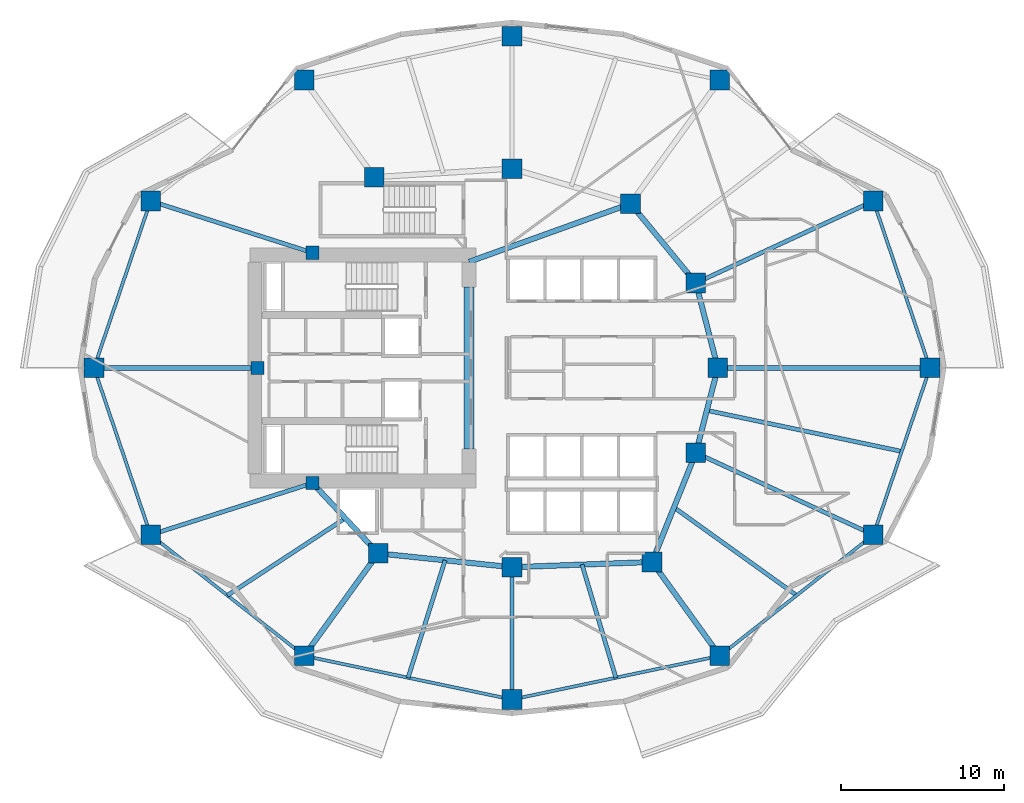
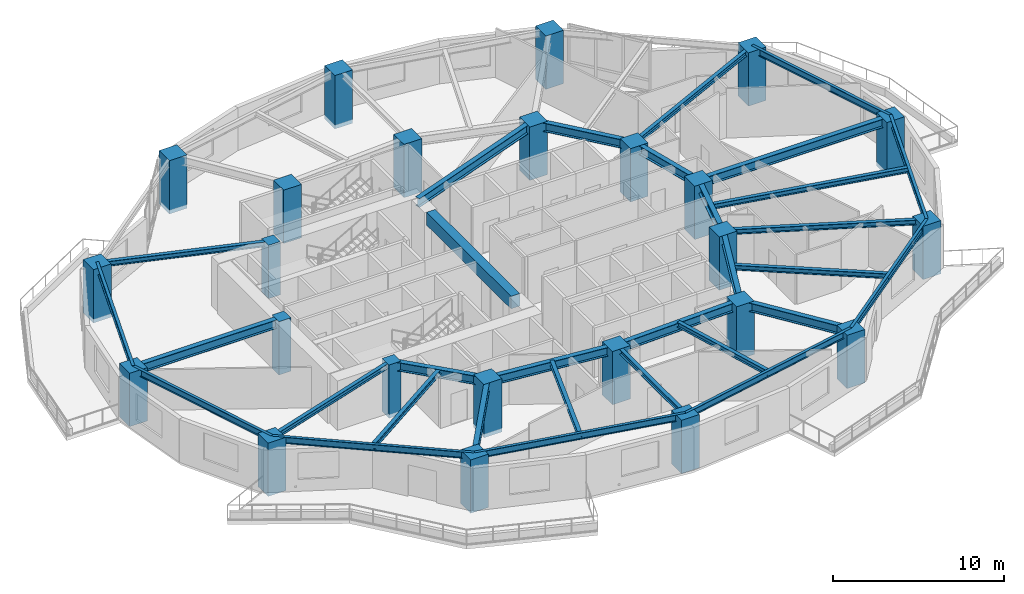
# One storey, part 1 of 12: 31 beams, 24 columns.
"""IFC4 building model written with IfcOpenShell, lengths in metres."""

from ifc_helpers import new_model, si_unit, direction, frame, origin, origin_2d, place, context, subcontext, project, spatial, rectangle, i_section, extrude, material, material_profile, profile_set, type_object, element, save


model = new_model("IFC4")

# Units and contexts
model_context = context("Model", 3, precision=1e-05, world=origin(), true_north=direction((0.0, 1.0)))
body_context = subcontext(model_context, "Body", "Model", "MODEL_VIEW")
ifc_project = project(units=[si_unit("LENGTHUNIT", "METRE"), si_unit("AREAUNIT", "SQUARE_METRE"), si_unit("VOLUMEUNIT", "CUBIC_METRE"), si_unit("PLANEANGLEUNIT", "RADIAN"), si_unit("MASSUNIT", "GRAM", prefix="KILO")], contexts=[model_context])

# Site, building, storey
site_placement = place(None, origin())
site = spatial("IfcSite", under=ifc_project, at=site_placement, CompositionType="ELEMENT")
building_placement = place(site_placement, origin())
building = spatial("IfcBuilding", under=site, at=building_placement, Name="Kolvaren Gate Tower and Convention Centre", CompositionType="ELEMENT")
storey_placement = place(building_placement, frame((0.0, 0.0, 91.949951171875)))
storey = spatial("IfcBuildingStorey", under=building, at=storey_placement, Name="L22", CompositionType="ELEMENT", Elevation=91.949951171875)

# Columns
ifc_material_1 = material(Name="Concrete C70/85", Category="concrete")
ifc_material_profile_1 = material_profile(ifc_material_1, rectangle(XDim=1.199951171875, YDim=1.199951171875, at=origin_2d()), Name="RC-COL-1200X1200")
ifc_profile_set_1 = profile_set([ifc_material_profile_1], Name="Concrete C70/85")
column_type_1 = type_object("IfcColumnType", Name="STR-COL-RC1200", PredefinedType="COLUMN", material=ifc_profile_set_1)
for number, where, z_axis, x_axis, name in (
    (1, (55.71240234375, 27.0, -0.280029296875), (0.0, 0.0, 1.0), (1.0, 0.0, 0.0), "Tower L22 Perimeter Supercolumn TP-01"),
    (2, (52.248779296875, 37.218505859375, -0.280029296875), (0.0, 0.0, 1.0), (1.0, 0.0, 0.0), "Tower L22 Perimeter Supercolumn TP-02"),
    (3, (42.846435546875, 44.627197265625, -0.280029296875), (0.0, 0.0, 1.0), (1.0, 0.0, 0.0), "Tower L22 Perimeter Supercolumn TP-03"),
    (4, (30.125, 47.300048828125, -0.280029296875), (0.0, 0.0, 1.0), (1.0, 0.0, 0.0), "Tower L22 Perimeter Supercolumn TP-04"),
    (5, (17.40380859375, 44.627197265625, -0.280029296875), (0.0, 0.0, 1.0), (1.0, 0.0, 0.0), "Tower L22 Perimeter Supercolumn TP-05"),
    (6, (8.001220703125, 37.218505859375, -0.280029296875), (0.0, 0.0, 1.0), (1.0, 0.0, 0.0), "Tower L22 Perimeter Supercolumn TP-06"),
    (7, (4.53759765625, 27.0, -0.280029296875), (0.0, 0.0, 1.0), (1.0, 0.0, 0.0), "Tower L22 Perimeter Supercolumn TP-07"),
    (8, (8.001220703125, 16.781494140625, -0.280029296875), (0.0, 0.0, 1.0), (1.0, 0.0, 0.0), "Tower L22 Perimeter Supercolumn TP-08"),
    (9, (17.403564453125, 9.372802734375, -0.280029296875), (0.0, 0.0, 1.0), (1.0, 0.0, 0.0), "Tower L22 Perimeter Supercolumn TP-09"),
    (10, (30.125, 6.699951171875, -0.280029296875), (0.0, 0.0, 1.0), (1.0, 0.0, 0.0), "Tower L22 Perimeter Supercolumn TP-10"),
    (11, (42.846435546875, 9.372802734375, -0.280029296875), (0.0, 0.0, 1.0), (1.0, 0.0, 0.0), "Tower L22 Perimeter Supercolumn TP-11"),
    (12, (52.248779296875, 16.781494140625, -0.280029296875), (0.0, 0.0, 1.0), (1.0, 0.0, 0.0), "Tower L22 Perimeter Supercolumn TP-12"),
    (13, (42.72509765625, 27.0, -0.280029296875), (0.0, 0.0, 1.0), (1.0, 0.0, 0.0), "Tower L22 Interior Column TI-01"),
    (14, (41.382080078125, 32.199462890625, -0.280029296875), (0.0, 0.0, 1.0), (1.0, 0.0, 0.0), "Tower L22 Interior Column TI-02"),
    (15, (37.381591796875, 37.054931640625, -0.280029296875), (0.0, 0.0, 1.0), (1.0, 0.0, 0.0), "Tower L22 Interior Column TI-03"),
    (16, (30.125, 39.199951171875, -0.280029296875), (0.0, 0.0, 1.0), (1.0, 0.0, 0.0), "Tower L22 Interior Column TI-04"),
    (17, (21.697998046875, 38.6767578125, -0.280029296875), (0.0, 0.0, 1.0), (1.0, 0.0, 0.0), "Tower L22 Interior Column TI-05"),
    (18, (21.93212890625, 15.647705078125, -0.280029296875), (0.0, 0.0, 1.0), (1.0, 0.0, 0.0), "Tower L22 Interior Column TI-06"),
    (19, (30.125, 14.800048828125, -0.280029296875), (0.0, 0.0, 1.0), (1.0, 0.0, 0.0), "Tower L22 Interior Column TI-07"),
    (20, (38.6982421875, 15.12060546875, -0.280029296875), (0.0, 0.0, 1.0), (1.0, 0.0, 0.0), "Tower L22 Interior Column TI-08"),
    (21, (41.382080078125, 21.800537109375, -0.280029296875), (0.0, 0.0, 1.0), (1.0, 0.0, 0.0), "Tower L22 Interior Column TI-09"),
):
    element("IfcColumn", number, at=place(storey_placement, frame(where, z_axis=z_axis, x_axis=x_axis)), inside=storey, type_object=column_type_1, Name=name, PredefinedType="COLUMN", context=body_context, shape_type="SweptSolid", body=[
        extrude(rectangle(XDim=1.199951171875, YDim=1.199951171875, at=origin_2d()), origin(), (0.0, 0.0, 1.0), 3.81005859375),
    ])
ifc_material_2 = material(Name="Concrete C60/75", Category="concrete")
ifc_material_profile_2 = material_profile(ifc_material_2, rectangle(XDim=0.800048828125, YDim=0.800048828125, at=origin_2d()), Name="RC-COL-800X800")
ifc_profile_set_2 = profile_set([ifc_material_profile_2], Name="Concrete C60/75")
column_type_2 = type_object("IfcColumnType", Name="STR-PIL-RC800", PredefinedType="PILASTER", material=ifc_profile_set_2)
for number, where, z_axis, x_axis, name in (
    (22, (17.9140625, 34.050048828125, -0.280029296875), (0.0, 0.0, 1.0), (1.0, 0.0, 0.0), "Tower L22 Core Boundary Pilaster TC-05"),
    (23, (14.550048828125, 27.0, -0.280029296875), (0.0, 0.0, 1.0), (1.0, 0.0, 0.0), "Tower L22 Core Boundary Pilaster TC-06"),
    (24, (17.9140625, 19.949951171875, -0.280029296875), (0.0, 0.0, 1.0), (1.0, 0.0, 0.0), "Tower L22 Core Boundary Pilaster TC-07"),
):
    element("IfcColumn", number, at=place(storey_placement, frame(where, z_axis=z_axis, x_axis=x_axis)), inside=storey, type_object=column_type_2, Name=name, PredefinedType="PILASTER", context=body_context, shape_type="SweptSolid", body=[
        extrude(rectangle(XDim=0.800048828125, YDim=0.800048828125, at=origin_2d()), origin(), (0.0, 0.0, 1.0), 3.81005859375),
    ])

# Beams
ifc_material_3 = material(Name="Structural steel ASTM A992 Grade 345 MPa", Category="steel")
ifc_material_profile_3 = material_profile(ifc_material_3, i_section(OverallWidth=0.327880859375, OverallDepth=0.6279296875, WebThickness=0.0166015625, FlangeThickness=0.027587890625, at=origin_2d()), Name="W610X217")
ifc_profile_set_3 = profile_set([ifc_material_profile_3], Name="Structural steel ASTM A992 Grade 345 MPa")
beam_type_1 = type_object("IfcBeamType", Name="STR-BM-W610X217", PredefinedType="BEAM", material=ifc_profile_set_3)
beam_1_placement = place(storey_placement, frame((42.72509765625, 27.0, 3.216064453125), z_axis=(-0.250091133936, -0.968222301296, 0.0), x_axis=(0.968222301296, -0.250091133936, 0.0)))
element("IfcBeam", 25, at=beam_1_placement, inside=storey, type_object=beam_type_1, Name="Tower L22 Primary Ring Girder G-01", PredefinedType="BEAM", context=body_context, shape_type="SweptSolid", body=[
    extrude(i_section(OverallWidth=0.327880859375, OverallDepth=0.6279296875, WebThickness=0.0166015625, FlangeThickness=0.027587890625, at=origin_2d()), origin(), (0.0, 0.0, 1.0), 5.3701171875),
])
beam_2_placement = place(storey_placement, frame((41.382080078125, 32.199462890625, 3.216064453125), z_axis=(-0.635884066011, 0.771784590798, 0.0), x_axis=(-0.771784590798, -0.635884066011, 0.0)))
element("IfcBeam", 26, at=beam_2_placement, inside=storey, type_object=beam_type_1, Name="Tower L22 Primary Ring Girder G-02", PredefinedType="BEAM", context=body_context, shape_type="SweptSolid", body=[
    extrude(i_section(OverallWidth=0.327880859375, OverallDepth=0.6279296875, WebThickness=0.0166015625, FlangeThickness=0.027587890625, at=origin_2d()), origin(), (0.0, 0.0, 1.0), 6.291259765625),
])
beam_3_placement = place(storey_placement, frame((17.9140625, 19.949951171875, 3.216064453125), z_axis=(0.682557592987, -0.730831808459, 0.0), x_axis=(0.730831808459, 0.682557592987, 0.0)))
element("IfcBeam", 27, at=beam_3_placement, inside=storey, type_object=beam_type_1, Name="Tower L22 Primary Ring Girder G-06", PredefinedType="BEAM", context=body_context, shape_type="SweptSolid", body=[
    extrude(i_section(OverallWidth=0.327880859375, OverallDepth=0.6279296875, WebThickness=0.0166015625, FlangeThickness=0.027587890625, at=origin_2d()), origin(), (0.0, 0.0, 1.0), 5.88671875),
])
beam_4_placement = place(storey_placement, frame((21.93212890625, 15.647705078125, 3.216064453125), z_axis=(0.994690329115, -0.102913308978, 0.0), x_axis=(0.102913308978, 0.994690329115, 0.0)))
element("IfcBeam", 28, at=beam_4_placement, inside=storey, type_object=beam_type_1, Name="Tower L22 Primary Ring Girder G-07", PredefinedType="BEAM", context=body_context, shape_type="SweptSolid", body=[
    extrude(i_section(OverallWidth=0.327880859375, OverallDepth=0.6279296875, WebThickness=0.0166015625, FlangeThickness=0.027587890625, at=origin_2d()), origin(), (0.0, 0.0, 1.0), 8.236572265625),
])
beam_5_placement = place(storey_placement, frame((30.125, 14.800048828125, 3.216064453125), z_axis=(0.999301712453, 0.037364254142, 0.0), x_axis=(-0.037364254142, 0.999301712453, 0.0)))
element("IfcBeam", 29, at=beam_5_placement, inside=storey, type_object=beam_type_1, Name="Tower L22 Primary Ring Girder G-08", PredefinedType="BEAM", context=body_context, shape_type="SweptSolid", body=[
    extrude(i_section(OverallWidth=0.327880859375, OverallDepth=0.6279296875, WebThickness=0.0166015625, FlangeThickness=0.027587890625, at=origin_2d()), origin(), (0.0, 0.0, 1.0), 8.579345703125),
])
beam_6_placement = place(storey_placement, frame((38.6982421875, 15.12060546875, 3.216064453125), z_axis=(0.372811100169, 0.927907260232, 0.0), x_axis=(-0.927907260232, 0.372811100169, 0.0)))
element("IfcBeam", 30, at=beam_6_placement, inside=storey, type_object=beam_type_1, Name="Tower L22 Primary Ring Girder G-09", PredefinedType="BEAM", context=body_context, shape_type="SweptSolid", body=[
    extrude(i_section(OverallWidth=0.327880859375, OverallDepth=0.6279296875, WebThickness=0.0166015625, FlangeThickness=0.027587890625, at=origin_2d()), origin(), (0.0, 0.0, 1.0), 7.198974609375),
])
beam_7_placement = place(storey_placement, frame((27.5, 33.5, 3.216064453125), z_axis=(0.940961479908, 0.338513653093, 0.0), x_axis=(-0.338513653093, 0.940961479908, 0.0)))
element("IfcBeam", 31, at=beam_7_placement, inside=storey, type_object=beam_type_1, Name="Tower L22 Primary Ring Girder G-10", PredefinedType="BEAM", context=body_context, shape_type="SweptSolid", body=[
    extrude(i_section(OverallWidth=0.327880859375, OverallDepth=0.6279296875, WebThickness=0.0166015625, FlangeThickness=0.027587890625, at=origin_2d()), origin(), (0.0, 0.0, 1.0), 10.501708984375),
])
beam_8_placement = place(storey_placement, frame((42.72509765625, 27.0, 3.216064453125), z_axis=(-0.250091133936, 0.968222301296, 0.0), x_axis=(-0.968222301296, -0.250091133936, 0.0)))
element("IfcBeam", 32, at=beam_8_placement, inside=storey, type_object=beam_type_1, Name="Tower L22 Primary Ring Girder G-12", PredefinedType="BEAM", context=body_context, shape_type="SweptSolid", body=[
    extrude(i_section(OverallWidth=0.327880859375, OverallDepth=0.6279296875, WebThickness=0.0166015625, FlangeThickness=0.027587890625, at=origin_2d()), origin(), (0.0, 0.0, 1.0), 5.3701171875),
])
beam_9_placement = place(storey_placement, frame((42.72509765625, 27.0, 3.216064453125), z_axis=(1.0, 0.0, 0.0), x_axis=(0.0, 1.0, 0.0)))
element("IfcBeam", 33, at=beam_9_placement, inside=storey, type_object=beam_type_1, Name="Tower L22 Radial Floor Girder RB-01", PredefinedType="BEAM", context=body_context, shape_type="SweptSolid", body=[
    extrude(i_section(OverallWidth=0.327880859375, OverallDepth=0.6279296875, WebThickness=0.0166015625, FlangeThickness=0.027587890625, at=origin_2d()), origin(), (0.0, 0.0, 1.0), 12.9873046875),
])
beam_10_placement = place(storey_placement, frame((14.550048828125, 27.0, 3.216064453125), z_axis=(-1.0, 0.0, 0.0), x_axis=(0.0, -1.0, 0.0)))
element("IfcBeam", 34, at=beam_10_placement, inside=storey, type_object=beam_type_1, Name="Tower L22 Radial Floor Girder RB-07", PredefinedType="BEAM", context=body_context, shape_type="SweptSolid", body=[
    extrude(i_section(OverallWidth=0.327880859375, OverallDepth=0.6279296875, WebThickness=0.0166015625, FlangeThickness=0.027587890625, at=origin_2d()), origin(), (0.0, 0.0, 1.0), 10.012451171875),
])
beam_11_placement = place(storey_placement, frame((21.93212890625, 15.647705078125, 3.216064453125), z_axis=(-0.585209453994, -0.810882170821, 0.0), x_axis=(0.810882170821, -0.585209453994, 0.0)))
element("IfcBeam", 35, at=beam_11_placement, inside=storey, type_object=beam_type_1, Name="Tower L22 Radial Floor Girder RB-09", PredefinedType="BEAM", context=body_context, shape_type="SweptSolid", body=[
    extrude(i_section(OverallWidth=0.327880859375, OverallDepth=0.6279296875, WebThickness=0.0166015625, FlangeThickness=0.027587890625, at=origin_2d()), origin(), (0.0, 0.0, 1.0), 7.73828125),
])
beam_12_placement = place(storey_placement, frame((38.6982421875, 15.12060546875, 3.216064453125), z_axis=(0.585212604054, -0.81087989743, 0.0), x_axis=(0.81087989743, 0.585212604054, 0.0)))
element("IfcBeam", 36, at=beam_12_placement, inside=storey, type_object=beam_type_1, Name="Tower L22 Radial Floor Girder RB-11", PredefinedType="BEAM", context=body_context, shape_type="SweptSolid", body=[
    extrude(i_section(OverallWidth=0.327880859375, OverallDepth=0.6279296875, WebThickness=0.0166015625, FlangeThickness=0.027587890625, at=origin_2d()), origin(), (0.0, 0.0, 1.0), 7.08837890625),
])
ifc_material_profile_4 = material_profile(ifc_material_3, i_section(OverallWidth=0.2548828125, OverallDepth=0.35693359375, WebThickness=0.010498046875, FlangeThickness=0.018310546875, at=origin_2d()), Name="W360X101")
ifc_profile_set_4 = profile_set([ifc_material_profile_4], Name="Structural steel ASTM A992 Grade 345 MPa")
beam_type_2 = type_object("IfcBeamType", Name="STR-JS-W360X101", PredefinedType="JOIST", material=ifc_profile_set_4)
beam_13_placement = place(storey_placement, frame((41.382080078125, 32.199462890625, 3.3515625), z_axis=(0.907843538102, 0.419309086864, 0.0), x_axis=(-0.419309086864, 0.907843538102, 0.0)))
element("IfcBeam", 37, at=beam_13_placement, inside=storey, type_object=beam_type_2, Name="Tower L22 Radial Floor Girder RB-02", PredefinedType="JOIST", context=body_context, shape_type="SweptSolid", body=[
    extrude(i_section(OverallWidth=0.2548828125, OverallDepth=0.35693359375, WebThickness=0.010498046875, FlangeThickness=0.018310546875, at=origin_2d()), origin(), (0.0, 0.0, 1.0), 11.9697265625),
])
for number, where, z_axis, x_axis, name in (
    (38, (17.9140625, 34.050048828125, 3.3515625), (-0.952525967456, 0.304457355507, 0.0), (-0.304457355507, -0.952525967456, 0.0), "Tower L22 Radial Floor Girder RB-06"),
    (39, (17.9140625, 19.949951171875, 3.3515625), (-0.952525967456, -0.304457355507, 0.0), (0.304457355507, -0.952525967456, 0.0), "Tower L22 Radial Floor Girder RB-08"),
):
    element("IfcBeam", number, at=place(storey_placement, frame(where, z_axis=z_axis, x_axis=x_axis)), inside=storey, type_object=beam_type_2, Name=name, PredefinedType="JOIST", context=body_context, shape_type="SweptSolid", body=[
        extrude(i_section(OverallWidth=0.2548828125, OverallDepth=0.35693359375, WebThickness=0.010498046875, FlangeThickness=0.018310546875, at=origin_2d()), origin(), (0.0, 0.0, 1.0), 10.406982421875),
    ])
beam_14_placement = place(storey_placement, frame((30.125, 14.800048828125, 3.3515625), z_axis=(0.0, -1.0, 0.0), x_axis=(1.0, 0.0, 0.0)))
element("IfcBeam", 40, at=beam_14_placement, inside=storey, type_object=beam_type_2, Name="Tower L22 Radial Floor Girder RB-10", PredefinedType="JOIST", context=body_context, shape_type="SweptSolid", body=[
    extrude(i_section(OverallWidth=0.2548828125, OverallDepth=0.35693359375, WebThickness=0.010498046875, FlangeThickness=0.018310546875, at=origin_2d()), origin(), (0.0, 0.0, 1.0), 8.10009765625),
])
beam_15_placement = place(storey_placement, frame((41.382080078125, 21.800537109375, 3.3515625), z_axis=(0.907843538102, -0.419309086864, 0.0), x_axis=(0.419309086864, 0.907843538102, 0.0)))
element("IfcBeam", 41, at=beam_15_placement, inside=storey, type_object=beam_type_2, Name="Tower L22 Radial Floor Girder RB-12", PredefinedType="JOIST", context=body_context, shape_type="SweptSolid", body=[
    extrude(i_section(OverallWidth=0.2548828125, OverallDepth=0.35693359375, WebThickness=0.010498046875, FlangeThickness=0.018310546875, at=origin_2d()), origin(), (0.0, 0.0, 1.0), 11.9697265625),
])
beam_16_placement = place(storey_placement, frame((19.923095703125, 17.798828125, 3.3515625), z_axis=(-0.836945684387, -0.547285959428, 0.0), x_axis=(0.547285959428, -0.836945684387, 0.0)))
element("IfcBeam", 42, at=beam_16_placement, inside=storey, type_object=beam_type_2, Name="Tower L22 Secondary Composite Floor Joist J-08.1", PredefinedType="JOIST", context=body_context, shape_type="SweptSolid", body=[
    extrude(i_section(OverallWidth=0.2548828125, OverallDepth=0.35693359375, WebThickness=0.010498046875, FlangeThickness=0.018310546875, at=origin_2d()), origin(), (0.0, 0.0, 1.0), 8.62744140625),
])
beam_17_placement = place(storey_placement, frame((26.028564453125, 15.223876953125, 3.3515625), z_axis=(-0.300467647472, -0.953792007108, 0.0), x_axis=(0.953792007108, -0.300467647472, 0.0)))
element("IfcBeam", 43, at=beam_17_placement, inside=storey, type_object=beam_type_2, Name="Tower L22 Secondary Composite Floor Joist J-09.1", PredefinedType="JOIST", context=body_context, shape_type="SweptSolid", body=[
    extrude(i_section(OverallWidth=0.2548828125, OverallDepth=0.35693359375, WebThickness=0.010498046875, FlangeThickness=0.018310546875, at=origin_2d()), origin(), (0.0, 0.0, 1.0), 7.535400390625),
])
beam_18_placement = place(storey_placement, frame((34.41162109375, 14.960205078125, 3.3515625), z_axis=(0.286954287166, -0.957944276603, 0.0), x_axis=(0.957944276603, 0.286954287166, 0.0)))
element("IfcBeam", 44, at=beam_18_placement, inside=storey, type_object=beam_type_2, Name="Tower L22 Secondary Composite Floor Joist J-10.1", PredefinedType="JOIST", context=body_context, shape_type="SweptSolid", body=[
    extrude(i_section(OverallWidth=0.2548828125, OverallDepth=0.35693359375, WebThickness=0.010498046875, FlangeThickness=0.018310546875, at=origin_2d()), origin(), (0.0, 0.0, 1.0), 7.2275390625),
])
beam_19_placement = place(storey_placement, frame((40.040283203125, 18.46044921875, 3.3515625), z_axis=(0.812660683761, -0.582737173234, 0.0), x_axis=(0.582737173234, 0.812660683761, 0.0)))
element("IfcBeam", 45, at=beam_19_placement, inside=storey, type_object=beam_type_2, Name="Tower L22 Secondary Composite Floor Joist J-11.1", PredefinedType="JOIST", context=body_context, shape_type="SweptSolid", body=[
    extrude(i_section(OverallWidth=0.2548828125, OverallDepth=0.35693359375, WebThickness=0.010498046875, FlangeThickness=0.018310546875, at=origin_2d()), origin(), (0.0, 0.0, 1.0), 9.238037109375),
])
beam_20_placement = place(storey_placement, frame((42.0537109375, 24.400146484375, 3.3515625), z_axis=(0.978573369431, -0.205898423114, 0.0), x_axis=(0.205898423114, 0.978573369431, 0.0)))
element("IfcBeam", 46, at=beam_20_placement, inside=storey, type_object=beam_type_2, Name="Tower L22 Secondary Composite Floor Joist J-12.1", PredefinedType="JOIST", context=body_context, shape_type="SweptSolid", body=[
    extrude(i_section(OverallWidth=0.2548828125, OverallDepth=0.35693359375, WebThickness=0.010498046875, FlangeThickness=0.018310546875, at=origin_2d()), origin(), (0.0, 0.0, 1.0), 12.188232421875),
])
ifc_material_profile_5 = material_profile(ifc_material_2, rectangle(XDim=0.60009765625, YDim=0.89990234375, at=origin_2d()), Name="RC-BM-600X900")
ifc_profile_set_5 = profile_set([ifc_material_profile_5], Name="Concrete C60/75")
beam_type_3 = type_object("IfcBeamType", Name="STR-LN-RC600X900", PredefinedType="LINTEL", material=ifc_profile_set_5)
beam_21_placement = place(storey_placement, frame((27.5, 22.050048828125, 3.080078125), z_axis=(0.0, 1.0, 0.0), x_axis=(-1.0, 0.0, 0.0)))
element("IfcBeam", 47, at=beam_21_placement, inside=storey, type_object=beam_type_3, Name="Tower L22 Core Ductile Coupling Beam CB-01", PredefinedType="LINTEL", context=body_context, shape_type="SweptSolid", body=[
    extrude(rectangle(XDim=0.60009765625, YDim=0.89990234375, at=origin_2d()), origin(), (0.0, 0.0, 1.0), 9.89990234375),
])
ifc_material_profile_6 = material_profile(ifc_material_3, i_section(OverallWidth=0.194091796875, OverallDepth=0.468994140625, WebThickness=0.0126953125, FlangeThickness=0.0205078125, at=origin_2d()), Name="W460X106")
ifc_profile_set_6 = profile_set([ifc_material_profile_6], Name="Structural steel ASTM A992 Grade 345 MPa")
beam_type_4 = type_object("IfcBeamType", Name="STR-SP-W460X106", PredefinedType="SPANDREL", material=ifc_profile_set_6)
for number, where, z_axis, x_axis, name in (
    (48, (55.71240234375, 27.0, 3.295654296875), (-0.321016233787, 0.947073691771, 0.0), (-0.947073691771, -0.321016233787, 0.0), "Tower L22 Perimeter Spandrel Beam SP-01"),
    (49, (8.001220703125, 37.218505859375, 3.295654296875), (-0.321016233787, -0.947073691771, 0.0), (0.947073691771, -0.321016233787, 0.0), "Tower L22 Perimeter Spandrel Beam SP-06"),
    (50, (4.53759765625, 27.0, 3.295654296875), (0.321016233787, -0.947073691771, 0.0), (0.947073691771, 0.321016233787, 0.0), "Tower L22 Perimeter Spandrel Beam SP-07"),
):
    element("IfcBeam", number, at=place(storey_placement, frame(where, z_axis=z_axis, x_axis=x_axis)), inside=storey, type_object=beam_type_4, Name=name, PredefinedType="SPANDREL", context=body_context, shape_type="SweptSolid", body=[
        extrude(i_section(OverallWidth=0.194091796875, OverallDepth=0.468994140625, WebThickness=0.0126953125, FlangeThickness=0.0205078125, at=origin_2d()), origin(), (0.0, 0.0, 1.0), 10.78955078125),
    ])
beam_22_placement = place(storey_placement, frame((8.001220703125, 16.781494140625, 3.295654296875), z_axis=(0.785459824636, -0.618912646407, 0.0), x_axis=(0.618912646407, 0.785459824636, 0.0)))
element("IfcBeam", 51, at=beam_22_placement, inside=storey, type_object=beam_type_4, Name="Tower L22 Perimeter Spandrel Beam SP-08", PredefinedType="SPANDREL", context=body_context, shape_type="SweptSolid", body=[
    extrude(i_section(OverallWidth=0.194091796875, OverallDepth=0.468994140625, WebThickness=0.0126953125, FlangeThickness=0.0205078125, at=origin_2d()), origin(), (0.0, 0.0, 1.0), 11.970458984375),
])
for number, where, z_axis, x_axis, name in (
    (52, (17.403564453125, 9.372802734375, 3.295654296875), (0.978632602148, -0.205616706552, 0.0), (0.205616706552, 0.978632602148, 0.0), "Tower L22 Perimeter Spandrel Beam SP-09"),
    (53, (30.125, 6.699951171875, 3.295654296875), (0.978632602148, 0.205616706552, 0.0), (-0.205616706552, 0.978632602148, 0.0), "Tower L22 Perimeter Spandrel Beam SP-10"),
):
    element("IfcBeam", number, at=place(storey_placement, frame(where, z_axis=z_axis, x_axis=x_axis)), inside=storey, type_object=beam_type_4, Name=name, PredefinedType="SPANDREL", context=body_context, shape_type="SweptSolid", body=[
        extrude(i_section(OverallWidth=0.194091796875, OverallDepth=0.468994140625, WebThickness=0.0126953125, FlangeThickness=0.0205078125, at=origin_2d()), origin(), (0.0, 0.0, 1.0), 12.999267578125),
    ])
beam_23_placement = place(storey_placement, frame((42.846435546875, 9.372802734375, 3.295654296875), z_axis=(0.785459824636, 0.618912646407, 0.0), x_axis=(-0.618912646407, 0.785459824636, 0.0)))
element("IfcBeam", 54, at=beam_23_placement, inside=storey, type_object=beam_type_4, Name="Tower L22 Perimeter Spandrel Beam SP-11", PredefinedType="SPANDREL", context=body_context, shape_type="SweptSolid", body=[
    extrude(i_section(OverallWidth=0.194091796875, OverallDepth=0.468994140625, WebThickness=0.0126953125, FlangeThickness=0.0205078125, at=origin_2d()), origin(), (0.0, 0.0, 1.0), 11.970458984375),
])
beam_24_placement = place(storey_placement, frame((52.248779296875, 16.781494140625, 3.295654296875), z_axis=(0.321016233787, 0.947073691771, 0.0), x_axis=(-0.947073691771, 0.321016233787, 0.0)))
element("IfcBeam", 55, at=beam_24_placement, inside=storey, type_object=beam_type_4, Name="Tower L22 Perimeter Spandrel Beam SP-12", PredefinedType="SPANDREL", context=body_context, shape_type="SweptSolid", body=[
    extrude(i_section(OverallWidth=0.194091796875, OverallDepth=0.468994140625, WebThickness=0.0126953125, FlangeThickness=0.0205078125, at=origin_2d()), origin(), (0.0, 0.0, 1.0), 10.78955078125),
])

save(model, "model.ifc")
